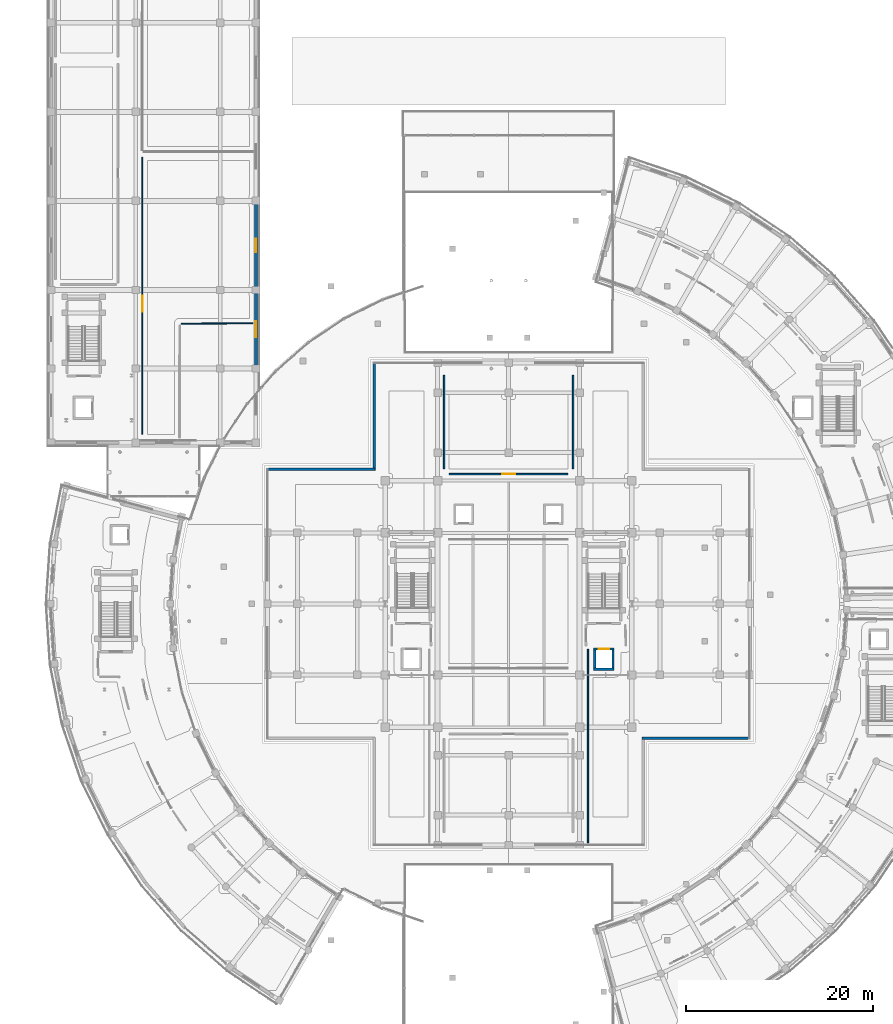
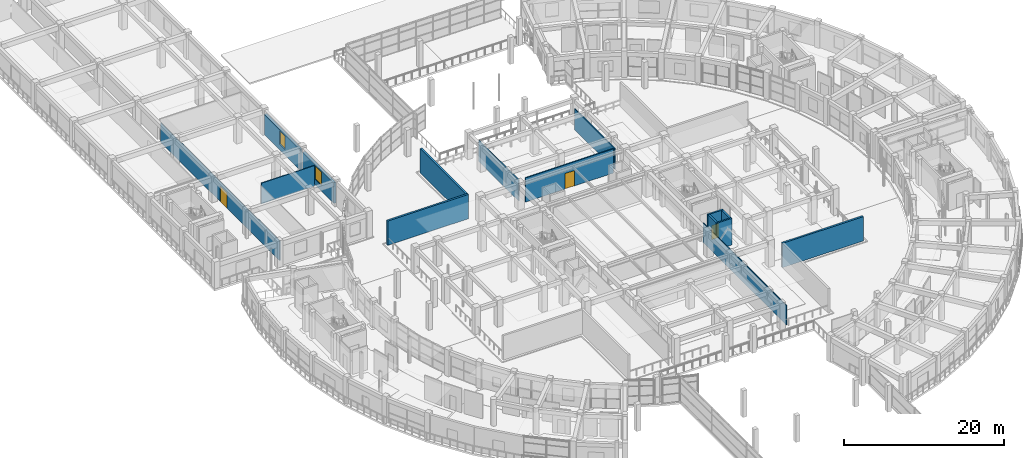
# One storey, part 61 of 87: 15 walls, 3 doors, 2 windows, 5 openings.
"""IFC4 building model written with IfcOpenShell, lengths in metres."""

from ifc_helpers import new_model, si_unit, direction, frame, frame_2d, origin, place, context, subcontext, project, spatial, rectangle, extrude, material, layer, layer_set, type_object, element, fill, save


model = new_model("IFC4")

# Units and contexts
model_context = context("Model", 3, precision=1e-05, world=origin(), true_north=direction((0.0, 1.0)))
body_context = subcontext(model_context, "Body", "Model", "MODEL_VIEW")
ifc_project = project(units=[si_unit("LENGTHUNIT", "METRE"), si_unit("AREAUNIT", "SQUARE_METRE"), si_unit("VOLUMEUNIT", "CUBIC_METRE"), si_unit("PLANEANGLEUNIT", "RADIAN"), si_unit("MASSUNIT", "GRAM", prefix="KILO")], contexts=[model_context])

# Site, building, storey
site_placement = place(None, origin())
site = spatial("IfcSite", under=ifc_project, at=site_placement, CompositionType="ELEMENT")
building_placement = place(site_placement, origin())
building = spatial("IfcBuilding", under=site, at=building_placement, Name="Saryqyr Civic Hall", CompositionType="ELEMENT")
storey_placement = place(building_placement, frame((0.0, 0.0, 5.10009765625)))
storey = spatial("IfcBuildingStorey", under=building, at=storey_placement, Name="L01", CompositionType="ELEMENT", Elevation=5.10009765625)

# Walls
ifc_material_1 = material(Name="Precast concrete C40/50", Category="concrete")
ifc_layer_1 = layer(ifc_material_1, 0.27001953125, Name="Precast concrete C40/50")
ifc_layer_set_1 = layer_set([ifc_layer_1], Name="Precast concrete C40/50")
wall_type_1 = type_object("IfcWallType", Name="ENV-WAL-EXT-270", PredefinedType="STANDARD", material=ifc_layer_set_1)
for number, where, z_axis, x_axis, name in (
    (1, (31.080078125, 98.39990234375, 0.0), (0.0, 0.0, 1.0), (1.0, 0.0, 0.0), "Exterior wall V1-EW-L01-03"),
    (2, (42.60009765625, 98.280029296875, 0.0), (0.0, 0.0, 1.0), (0.0, 1.0, 0.0), "Exterior wall V1-EW-L01-04"),
    (3, (82.919921875, 69.60009765625, 0.0), (0.0, 0.0, 1.0), (-1.0, 0.0, 0.0), "Exterior wall V1-EW-L01-09"),
):
    element("IfcWall", number, at=place(storey_placement, frame(where, z_axis=z_axis, x_axis=x_axis)), inside=storey, type_object=wall_type_1, Name=name, PredefinedType="STANDARD", context=body_context, shape_type="SweptSolid", body=[
        extrude(rectangle(XDim=11.639892578125, YDim=0.27001953125, at=frame_2d((5.81982421875, 0.0))), origin(), (0.0, 0.0, 1.0), 3.699951171875),
    ])

# Wall, opening, window
ifc_layer_2 = layer(ifc_material_1, 0.31005859375, Name="Precast concrete C40/50")
ifc_layer_set_2 = layer_set([ifc_layer_2], Name="Precast concrete C40/50")
wall_type_2 = type_object("IfcWallType", Name="ENV-WAL-EXT-310", PredefinedType="STANDARD", material=ifc_layer_set_2)
wall_1_placement = place(storey_placement, frame((29.949951171875, 126.794921875, 0.0), z_axis=(0.0, 0.0, 1.0), x_axis=(0.0, -1.0, 0.0)))
wall_1 = element("IfcWall", 4, at=wall_1_placement, inside=storey, type_object=wall_type_2, Name="Exterior wall V3-EW-L01-1-4", PredefinedType="STANDARD", context=body_context, shape_type="SweptSolid", body=[
    extrude(rectangle(XDim=8.85986328125, YDim=0.31005859375, at=frame_2d((4.429931640625, 0.0))), origin(), (0.0, 0.0, 1.0), 3.14501953125),
])
opening_1_placement = place(wall_1_placement, frame((3.72998046875, 0.0, 0.85009765625)))
opening_1 = element("IfcOpeningElement", 5, at=opening_1_placement, cuts=wall_1, Name="Opening W-31", PredefinedType="OPENING", context=body_context, shape_type="SweptSolid", body=[
    extrude(rectangle(XDim=1.39990234375, YDim=2.050048828125, at=frame_2d((0.699951171875, 1.02490234375))), frame((0.0, 0.1650390625, 0.0), z_axis=(0.0, -1.0, 0.0), x_axis=(1.0, 0.0, 0.0)), (0.0, 0.0, 1.0), 0.330078125),
])
ifc_material_2 = material(Name="Anodised aluminium and triple low-E glass", Category="aluminium")
window_type_1 = type_object("IfcWindowType", Name="ENV-WIN-W31", PartitioningType="SINGLE_PANEL", PredefinedType="WINDOW", material=ifc_material_2)
window_1_placement = place(opening_1_placement, origin())
window_1 = element("IfcWindow", 6, at=window_1_placement, inside=storey, type_object=window_type_1, Name="Library window L01-1-4", OverallHeight=2.050048828125, OverallWidth=1.39990234375, PartitioningType="SINGLE_PANEL", PredefinedType="WINDOW", context=body_context, shape_type="SweptSolid", body=[
    extrude(rectangle(XDim=1.39990234375, YDim=2.050048828125, at=frame_2d((0.699951171875, 1.02490234375))), frame((0.0, 0.030029296875, 0.0), z_axis=(0.0, -1.0, 0.0), x_axis=(1.0, 0.0, 0.0)), (0.0, 0.0, 1.0), 0.06005859375),
])
fill(opening_1, window_1)

wall_2_placement = place(storey_placement, frame((29.949951171875, 117.264892578125, 0.0), z_axis=(0.0, 0.0, 1.0), x_axis=(0.0, -1.0, 0.0)))
wall_2 = element("IfcWall", 7, at=wall_2_placement, inside=storey, type_object=wall_type_2, Name="Exterior wall V3-EW-L01-1-5", PredefinedType="STANDARD", context=body_context, shape_type="SweptSolid", body=[
    extrude(rectangle(XDim=7.72998046875, YDim=0.31005859375, at=frame_2d((3.864990234375, 0.0))), origin(), (0.0, 0.0, 1.0), 3.14501953125),
])
opening_2_placement = place(wall_2_placement, frame((3.014892578125, 0.0, 0.85009765625)))
opening_2 = element("IfcOpeningElement", 8, at=opening_2_placement, cuts=wall_2, Name="Opening W-32", PredefinedType="OPENING", context=body_context, shape_type="SweptSolid", body=[
    extrude(rectangle(XDim=1.699951171875, YDim=2.050048828125, at=frame_2d((0.85009765625, 1.02490234375))), frame((0.0, 0.1650390625, 0.0), z_axis=(0.0, -1.0, 0.0), x_axis=(1.0, 0.0, 0.0)), (0.0, 0.0, 1.0), 0.330078125),
])
window_type_2 = type_object("IfcWindowType", Name="ENV-WIN-W32", PartitioningType="SINGLE_PANEL", PredefinedType="WINDOW", material=ifc_material_2)
window_2_placement = place(opening_2_placement, origin())
window_2 = element("IfcWindow", 9, at=window_2_placement, inside=storey, type_object=window_type_2, Name="Library window L01-1-5", OverallHeight=2.050048828125, OverallWidth=1.699951171875, PartitioningType="SINGLE_PANEL", PredefinedType="WINDOW", context=body_context, shape_type="SweptSolid", body=[
    extrude(rectangle(XDim=1.699951171875, YDim=2.050048828125, at=frame_2d((0.85009765625, 1.02490234375))), frame((0.0, 0.030029296875, 0.0), z_axis=(0.0, -1.0, 0.0), x_axis=(1.0, 0.0, 0.0)), (0.0, 0.0, 1.0), 0.06005859375),
])
fill(opening_2, window_2)

# Wall
ifc_material_3 = material(Name="Moisture-resistant gypsum partition", Category="gypsum")
ifc_layer_3 = layer(ifc_material_3, 0.110107421875, Name="Moisture-resistant gypsum partition")
ifc_layer_set_3 = layer_set([ifc_layer_3], Name="Moisture-resistant gypsum partition")
wall_type_3 = type_object("IfcWallType", Name="INT-WAL-PRT-110", PredefinedType="PARTITIONING", material=ifc_layer_set_3)
wall_3_placement = place(storey_placement, frame((65.5, 58.429931640625, 0.0), z_axis=(0.0, 0.0, 1.0), x_axis=(0.0, 1.0, 0.0)))
element("IfcWall", 10, at=wall_3_placement, inside=storey, type_object=wall_type_3, Name="Interior partition PRT-SP-V2-L01-EGAL-W2", PredefinedType="PARTITIONING", context=body_context, shape_type="SweptSolid", body=[
    extrude(rectangle(XDim=20.719970703125, YDim=0.110107421875, at=frame_2d((10.35986328125, 0.0))), origin(), (0.0, 0.0, 1.0), 2.994873046875),
])

# Wall, opening, door
wall_4_placement = place(storey_placement, frame((17.800048828125, 102.14990234375, 0.0), z_axis=(0.0, 0.0, 1.0), x_axis=(0.0, 1.0, 0.0)))
wall_4 = element("IfcWall", 11, at=wall_4_placement, inside=storey, type_object=wall_type_3, Name="Interior partition PRT-SP-V3-L01-R01-W1", PredefinedType="PARTITIONING", context=body_context, shape_type="SweptSolid", body=[
    extrude(rectangle(XDim=29.670166015625, YDim=0.110107421875, at=frame_2d((14.8349609375, 0.0))), origin(), (0.0, 0.0, 1.0), 2.994873046875),
])
opening_3_placement = place(wall_4_placement, frame((13.135009765625, 0.0, 0.0)))
opening_3 = element("IfcOpeningElement", 12, at=opening_3_placement, cuts=wall_4, Name="Opening D-19", PredefinedType="OPENING", context=body_context, shape_type="SweptSolid", body=[
    extrude(rectangle(XDim=1.699951171875, YDim=2.35009765625, at=frame_2d((0.85009765625, 1.175048828125))), frame((0.0, 0.06494140625, 0.0), z_axis=(0.0, -1.0, 0.0), x_axis=(1.0, 0.0, 0.0)), (0.0, 0.0, 1.0), 0.130126953125),
])
ifc_material_4 = material(Name="Acoustic solid-core oak veneer", Category="wood")
door_type_1 = type_object("IfcDoorType", Name="INT-DR-D-19", OperationType="NOTDEFINED", PredefinedType="DOOR", material=ifc_material_4)
door_1_placement = place(opening_3_placement, origin())
door_1 = element("IfcDoor", 13, at=door_1_placement, inside=storey, type_object=door_type_1, Name="Interior door Municipal Archive Reference Stacks", OperationType="DOUBLE_DOOR_SINGLE_SWING", OverallHeight=2.35009765625, OverallWidth=1.699951171875, PredefinedType="DOOR", context=body_context, shape_type="SweptSolid", body=[
    extrude(rectangle(XDim=1.699951171875, YDim=2.35009765625, at=frame_2d((0.85009765625, 1.175048828125))), frame((0.0, 0.02490234375, 0.0), z_axis=(0.0, -1.0, 0.0), x_axis=(1.0, 0.0, 0.0)), (0.0, 0.0, 1.0), 0.050048828125),
])
fill(opening_3, door_1)

# Wall
wall_5_placement = place(storey_placement, frame((29.6201171875, 114.019775390625, 0.0), z_axis=(0.0, 0.0, 1.0), x_axis=(-0.999999377272, -0.00111599956, 0.0)))
element("IfcWall", 14, at=wall_5_placement, inside=storey, type_object=wall_type_3, Name="Interior partition PRT-SP-V3-L01-R01-W2", PredefinedType="PARTITIONING", context=body_context, shape_type="SweptSolid", body=[
    extrude(rectangle(XDim=7.65673828125, YDim=0.110107421875, at=frame_2d((3.828369140625, 0.0))), origin(), (0.0, 0.0, 1.0), 3.14501953125),
])

# Wall, opening, door
ifc_material_5 = material(Name="Acoustic double-stud gypsum board", Category="gypsum")
ifc_layer_4 = layer(ifc_material_5, 0.155029296875, Name="Acoustic double-stud gypsum board")
ifc_layer_set_4 = layer_set([ifc_layer_4], Name="Acoustic double-stud gypsum board")
wall_type_4 = type_object("IfcWallType", Name="INT-WAL-PRT-155", PredefinedType="PARTITIONING", material=ifc_layer_set_4)
wall_6_placement = place(storey_placement, frame((63.35009765625, 97.89990234375, 0.0), z_axis=(0.0, 0.0, 1.0), x_axis=(-1.0, 0.0, 0.0)))
wall_6 = element("IfcWall", 15, at=wall_6_placement, inside=storey, type_object=wall_type_4, Name="Interior partition PRT-SP-V1-L01-R03-W1", PredefinedType="PARTITIONING", context=body_context, shape_type="SweptSolid", body=[
    extrude(rectangle(XDim=12.7001953125, YDim=0.155029296875, at=frame_2d((6.35009765625, 0.0))), origin(), (0.0, 0.0, 1.0), 3.679931640625),
])
opening_4_placement = place(wall_6_placement, frame((5.64990234375, 0.0, 0.0)))
opening_4 = element("IfcOpeningElement", 16, at=opening_4_placement, cuts=wall_6, Name="Opening D-18", PredefinedType="OPENING", context=body_context, shape_type="SweptSolid", body=[
    extrude(rectangle(XDim=1.39990234375, YDim=2.35009765625, at=frame_2d((0.699951171875, 1.175048828125))), frame((0.0, 0.08740234375, 0.0), z_axis=(0.0, -1.0, 0.0), x_axis=(1.0, 0.0, 0.0)), (0.0, 0.0, 1.0), 0.175048828125),
])
door_type_2 = type_object("IfcDoorType", Name="INT-DR-D-18", OperationType="NOTDEFINED", PredefinedType="DOOR", material=ifc_material_4)
door_2_placement = place(opening_4_placement, origin())
door_2 = element("IfcDoor", 17, at=door_2_placement, inside=storey, type_object=door_type_2, Name="Interior door Civic Reception & Banquet Foyer", OperationType="SINGLE_SWING_LEFT", OverallHeight=2.35009765625, OverallWidth=1.39990234375, PredefinedType="DOOR", context=body_context, shape_type="SweptSolid", body=[
    extrude(rectangle(XDim=1.39990234375, YDim=2.35009765625, at=frame_2d((0.699951171875, 1.175048828125))), frame((0.0, 0.02490234375, 0.0), z_axis=(0.0, -1.0, 0.0), x_axis=(1.0, 0.0, 0.0)), (0.0, 0.0, 1.0), 0.050048828125),
])
fill(opening_4, door_2)

# Walls
for number, where, z_axis, x_axis, name in (
    (18, (63.89990234375, 108.449951171875, 0.0), (0.0, 0.0, 1.0), (0.0, -1.0, 0.0), "Interior partition PRT-SP-V1-L01-R03-W2"),
    (19, (50.10009765625, 98.449951171875, 0.0), (0.0, 0.0, 1.0), (0.0, 1.0, 0.0), "Interior partition PRT-SP-V1-L01-R03-W3"),
):
    element("IfcWall", number, at=place(storey_placement, frame(where, z_axis=z_axis, x_axis=x_axis)), inside=storey, type_object=wall_type_4, Name=name, PredefinedType="PARTITIONING", context=body_context, shape_type="SweptSolid", body=[
        extrude(rectangle(XDim=10.0, YDim=0.155029296875, at=frame_2d((5.0, 0.0))), origin(), (0.0, 0.0, 1.0), 3.14501953125),
    ])
ifc_material_6 = material(Name="Concrete C40/50", Category="concrete")
ifc_layer_5 = layer(ifc_material_6, 0.239990234375, Name="Concrete C40/50")
ifc_layer_set_5 = layer_set([ifc_layer_5], Name="Concrete C40/50")
wall_type_5 = type_object("IfcWallType", Name="INT-WAL-SHR-240", PredefinedType="SHEAR", material=ifc_layer_set_5)
wall_7_placement = place(storey_placement, frame((68.300048828125, 77.02001953125, 0.0), z_axis=(0.0, 0.0, 1.0), x_axis=(-1.0, 0.0, 0.0)))
element("IfcWall", 20, at=wall_7_placement, inside=storey, type_object=wall_type_5, Name="Lift shaft shear wall LF-02-SHW-S-L01", PredefinedType="SHEAR", context=body_context, shape_type="SweptSolid", body=[
    extrude(rectangle(XDim=2.199951171875, YDim=0.239990234375, at=frame_2d((1.10009765625, 0.0))), origin(), (0.0, 0.0, 1.0), 4.0498046875),
])
wall_8_placement = place(storey_placement, frame((68.179931640625, 79.06005859375, 0.0), z_axis=(0.0, 0.0, 1.0), x_axis=(0.0, -1.0, 0.0)))
element("IfcWall", 21, at=wall_8_placement, inside=storey, type_object=wall_type_5, Name="Lift shaft shear wall LF-02-SHW-E-L01", PredefinedType="SHEAR", context=body_context, shape_type="SweptSolid", body=[
    extrude(rectangle(XDim=1.920166015625, YDim=0.239990234375, at=frame_2d((0.9599609375, 0.0))), origin(), (0.0, 0.0, 1.0), 4.0498046875),
])

# Wall, opening, door
wall_9_placement = place(storey_placement, frame((66.10009765625, 79.179931640625, 0.0), z_axis=(0.0, 0.0, 1.0), x_axis=(1.0, 0.0, 0.0)))
wall_9 = element("IfcWall", 22, at=wall_9_placement, inside=storey, type_object=wall_type_5, Name="Lift shaft shear wall LF-02-SHW-N-L01", PredefinedType="SHEAR", context=body_context, shape_type="SweptSolid", body=[
    extrude(rectangle(XDim=2.199951171875, YDim=0.239990234375, at=frame_2d((1.10009765625, 0.0))), origin(), (0.0, 0.0, 1.0), 4.0498046875),
])
opening_5_placement = place(wall_9_placement, frame((0.550048828125, 0.0, 0.0)))
opening_5 = element("IfcOpeningElement", 23, at=opening_5_placement, cuts=wall_9, Name="Opening LD-01", PredefinedType="OPENING", context=body_context, shape_type="SweptSolid", body=[
    extrude(rectangle(XDim=1.10009765625, YDim=2.14990234375, at=frame_2d((0.550048828125, 1.074951171875))), frame((0.0, 0.1298828125, 0.0), z_axis=(0.0, -1.0, 0.0), x_axis=(1.0, 0.0, 0.0)), (0.0, 0.0, 1.0), 0.260009765625),
])
ifc_material_7 = material(Name="Brushed stainless steel", Category="steel")
door_type_3 = type_object("IfcDoorType", Name="INT-DR-LD-1100x2150", OperationType="NOTDEFINED", PredefinedType="DOOR", material=ifc_material_7)
door_3_placement = place(opening_5_placement, origin())
door_3 = element("IfcDoor", 24, at=door_3_placement, inside=storey, type_object=door_type_3, Name="Lift sliding landing door LF-02 L01", OperationType="SLIDING_TO_RIGHT", OverallHeight=2.14990234375, OverallWidth=1.10009765625, PredefinedType="DOOR", context=body_context, shape_type="SweptSolid", body=[
    extrude(rectangle(XDim=1.10009765625, YDim=2.14990234375, at=frame_2d((0.550048828125, 1.074951171875))), frame((0.0, 0.02490234375, 0.0), z_axis=(0.0, -1.0, 0.0), x_axis=(1.0, 0.0, 0.0)), (0.0, 0.0, 1.0), 0.050048828125),
])
fill(opening_5, door_3)

# Wall
wall_10_placement = place(storey_placement, frame((66.219970703125, 77.139892578125, 0.0), z_axis=(0.0, 0.0, 1.0), x_axis=(0.0, 1.0, 0.0)))
element("IfcWall", 25, at=wall_10_placement, inside=storey, type_object=wall_type_5, Name="Lift shaft shear wall LF-02-SHW-W-L01", PredefinedType="SHEAR", context=body_context, shape_type="SweptSolid", body=[
    extrude(rectangle(XDim=1.920166015625, YDim=0.239990234375, at=frame_2d((0.9599609375, 0.0))), origin(), (0.0, 0.0, 1.0), 4.0498046875),
])

save(model, "model.ifc")
